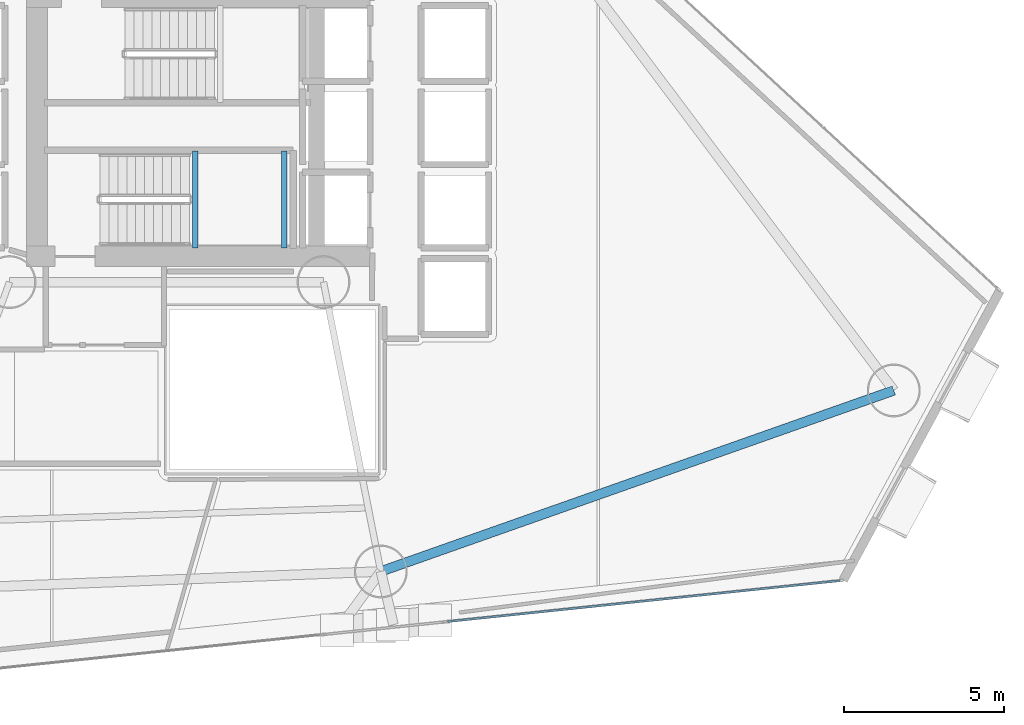
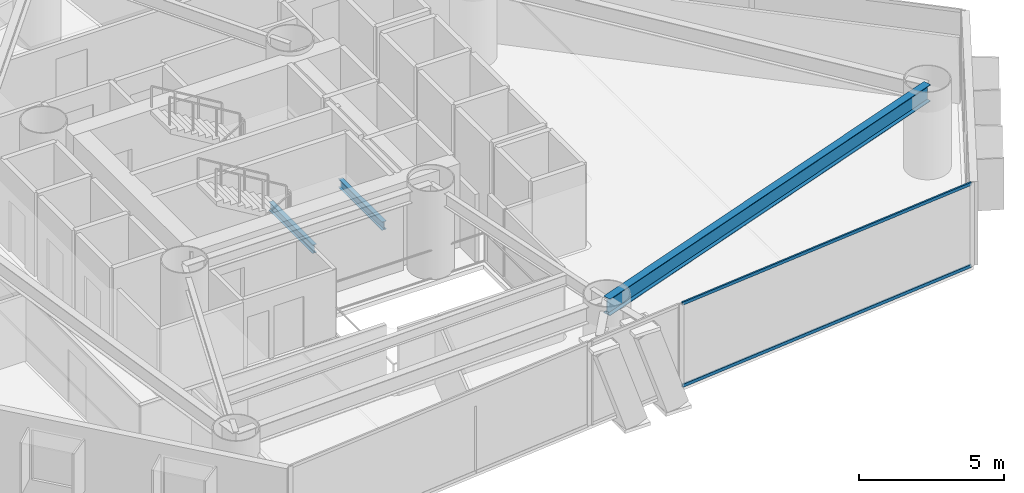
# One storey, part 7 of 23: 3 beams, 2 members, 1 element without a shape of its own.
"""IFC4 building model written with IfcOpenShell, lengths in metres."""

from ifc_helpers import new_model, si_unit, direction, frame, origin, origin_2d, place, context, subcontext, project, spatial, hollow_rectangle, i_section, extrude, material, layer, layer_set, material_profile, profile_set, type_object, element, aggregate, save


model = new_model("IFC4")

# Units and contexts
model_context = context("Model", 3, precision=1e-05, world=origin(), true_north=direction((0.0, 1.0)))
body_context = subcontext(model_context, "Body", "Model", "MODEL_VIEW")
ifc_project = project(units=[si_unit("LENGTHUNIT", "METRE"), si_unit("AREAUNIT", "SQUARE_METRE"), si_unit("VOLUMEUNIT", "CUBIC_METRE"), si_unit("PLANEANGLEUNIT", "RADIAN"), si_unit("MASSUNIT", "GRAM", prefix="KILO")], contexts=[model_context])

# Site, building, storey
site_placement = place(None, origin())
site = spatial("IfcSite", under=ifc_project, at=site_placement, CompositionType="ELEMENT")
building_placement = place(site_placement, origin())
building = spatial("IfcBuilding", under=site, at=building_placement, Name="Qianvela Tower", CompositionType="ELEMENT")
storey_placement = place(building_placement, frame((0.0, 0.0, 67.300048828125)))
storey = spatial("IfcBuildingStorey", under=building, at=storey_placement, Name="L16", CompositionType="ELEMENT", Elevation=67.300048828125)

# Beams
ifc_material_1 = material(Name="Steel Q355B", Category="steel")
ifc_material_profile_1 = material_profile(ifc_material_1, i_section(OverallWidth=0.175048828125, OverallDepth=0.35009765625, WebThickness=0.007080078125, FlangeThickness=0.010986328125, at=origin_2d()), Name="HN350x175x7x11")
ifc_profile_set_1 = profile_set([ifc_material_profile_1], Name="Steel Q355B")
beam_type_1 = type_object("IfcBeamType", Name="BM-HN350-JOIST", PredefinedType="JOIST", material=ifc_profile_set_1)
for number, where, z_axis, x_axis, name in (
    (1, (34.39990234375, 24.919921875, 1.474853515625), (0.0, 1.0, 0.0), (-1.0, 0.0, 0.0), "L16 Stair ST-2 Landing Support Beam 1.1"),
    (2, (37.169921875, 24.919921875, 1.474853515625), (0.0, 1.0, 0.0), (-1.0, 0.0, 0.0), "L16 Stair ST-2 Landing Support Beam 1.2"),
):
    element("IfcBeam", number, at=place(storey_placement, frame(where, z_axis=z_axis, x_axis=x_axis)), inside=storey, type_object=beam_type_1, Name=name, PredefinedType="JOIST", context=body_context, shape_type="SweptSolid", body=[
        extrude(i_section(OverallWidth=0.175048828125, OverallDepth=0.35009765625, WebThickness=0.007080078125, FlangeThickness=0.010986328125, at=origin_2d()), origin(), (0.0, 0.0, 1.0), 3.02001953125),
    ])
ifc_material_2 = material(Name="Steel Q355B", Category="steel")
ifc_material_profile_2 = material_profile(ifc_material_2, i_section(OverallWidth=0.300048828125, OverallDepth=0.699951171875, WebThickness=0.012939453125, FlangeThickness=0.02392578125, at=origin_2d()), Name="HN700x300x13x24")
ifc_profile_set_2 = profile_set([ifc_material_profile_2], Name="Steel Q355B")
beam_type_2 = type_object("IfcBeamType", Name="BM-HN700-SPAND", PredefinedType="SPANDREL", material=ifc_profile_set_2)
beam_placement = place(storey_placement, frame((40.18896484375, 14.819091796875, 3.16796875), z_axis=(0.943021125648, 0.332732860687, 0.0), x_axis=(-0.332732860687, 0.943021125648, 0.0)))
element("IfcBeam", 3, at=beam_placement, inside=storey, type_object=beam_type_2, Name="L16 Perimeter Ring Spandrel Girder 6", PredefinedType="SPANDREL", context=body_context, shape_type="SweptSolid", body=[
    extrude(i_section(OverallWidth=0.300048828125, OverallDepth=0.699951171875, WebThickness=0.012939453125, FlangeThickness=0.02392578125, at=origin_2d()), origin(), (0.0, 0.0, 1.0), 16.977294921875),
])

# Curtain wall, members
ifc_material_3 = material(Name="Anodised Architectural Aluminium and Low-E Glass", Category="aluminium")
ifc_layer = layer(ifc_material_3, 0.179931640625)
ifc_layer_set = layer_set([ifc_layer], Name="Anodised Architectural Aluminium and Low-E Glass")
curtain_wall_type = type_object("IfcCurtainWallType", Name="CW-COLIV-Z12", PredefinedType="USERDEFINED", material=ifc_layer_set)
curtain_wall_placement = place(storey_placement, origin())
curtain_wall = element("IfcCurtainWall", 4, at=curtain_wall_placement, inside=storey, type_object=curtain_wall_type, Name="L16 CW-COLIV-Z12 Curtain Wall 06C", ObjectType="CURTAIN_WALL_SYSTEM", PredefinedType="USERDEFINED")
ifc_material_4 = material(Name="Anodised Architectural Aluminium 6063-T6", Category="aluminium")
ifc_material_profile_3 = material_profile(ifc_material_4, hollow_rectangle(XDim=0.06494140625, YDim=0.1298828125, WallThickness=0.00439453125, at=origin_2d()), Name="ALU-TRAN-65x130")
ifc_profile_set_3 = profile_set([ifc_material_profile_3], Name="Anodised Architectural Aluminium 6063-T6")
member_type = type_object("IfcMemberType", Name="CW-COLIV-Z12-TRAN", PredefinedType="USERDEFINED", material=ifc_profile_set_3)
member_1_placement = place(storey_placement, frame((42.27734375, 13.255859375, 0.032470703125), z_axis=(0.994607061007, 0.103714966104, 0.0), x_axis=(-0.103714966104, 0.994607061007, 0.0)))
member_1 = element("IfcMember", 5, at=member_1_placement, type_object=member_type, Name="CW-3 transom 1.1", ObjectType="TRANSOM", PredefinedType="USERDEFINED", context=body_context, shape_type="SweptSolid", body=[
    extrude(hollow_rectangle(XDim=0.06494140625, YDim=0.1298828125, WallThickness=0.00439453125, at=origin_2d()), origin(), (0.0, 0.0, 1.0), 12.29248046875),
])
member_2_placement = place(storey_placement, frame((42.27734375, 13.255859375, 3.487548828125), z_axis=(0.994607061007, 0.103714966104, 0.0), x_axis=(-0.103714966104, 0.994607061007, 0.0)))
member_2 = element("IfcMember", 6, at=member_2_placement, type_object=member_type, Name="CW-3 transom 1.2", ObjectType="TRANSOM", PredefinedType="USERDEFINED", context=body_context, shape_type="SweptSolid", body=[
    extrude(hollow_rectangle(XDim=0.06494140625, YDim=0.1298828125, WallThickness=0.00439453125, at=origin_2d()), origin(), (0.0, 0.0, 1.0), 12.29248046875),
])
aggregate(curtain_wall, [member_1, member_2])

save(model, "model.ifc")
